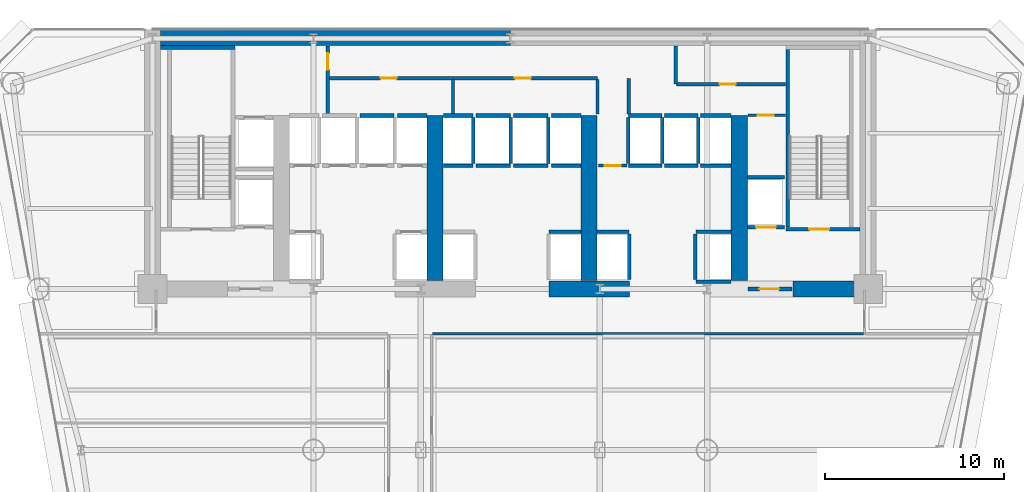
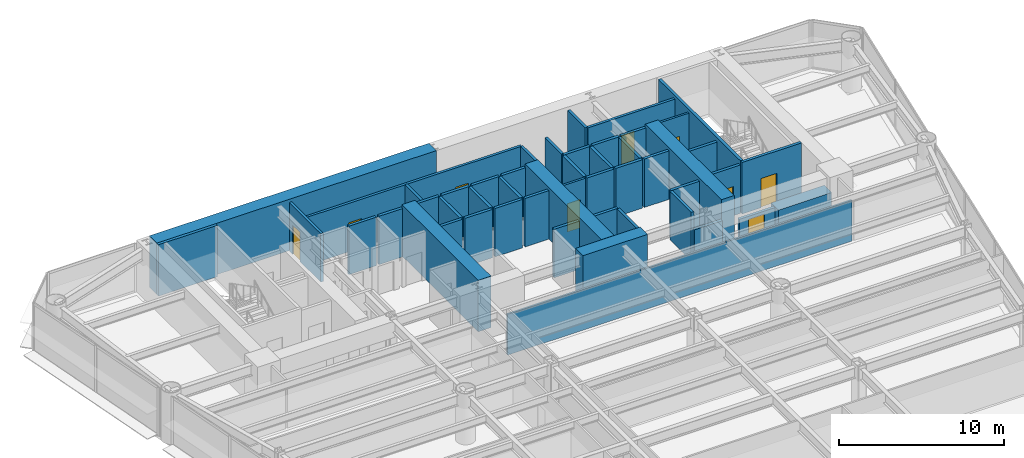
# One storey, part 9 of 14: 50 walls, 9 doors, 9 openings.
"""IFC4 building model written with IfcOpenShell, lengths in metres."""

from ifc_helpers import new_model, si_unit, direction, frame, frame_2d, origin, place, context, subcontext, project, spatial, rectangle, extrude, source, transform, mapped, material, layer, layer_set, type_object, element, fill, save


model = new_model("IFC4")

# Units and contexts
model_context = context("Model", 3, precision=1e-05, world=origin(), true_north=direction((0.0, 1.0)))
body_context = subcontext(model_context, "Body", "Model", "MODEL_VIEW")
ifc_project = project(units=[si_unit("LENGTHUNIT", "METRE"), si_unit("AREAUNIT", "SQUARE_METRE"), si_unit("VOLUMEUNIT", "CUBIC_METRE"), si_unit("PLANEANGLEUNIT", "RADIAN"), si_unit("MASSUNIT", "GRAM", prefix="KILO")], contexts=[model_context])

# Site, building, storey
site_placement = place(None, origin())
site = spatial("IfcSite", under=ifc_project, at=site_placement, CompositionType="ELEMENT")
building_placement = place(site_placement, origin())
building = spatial("IfcBuilding", under=site, at=building_placement, Name="Vaeldorn Concourse Tower", CompositionType="ELEMENT")
storey_placement = place(building_placement, frame((0.0, 0.0, 45.39990234375)))
storey = spatial("IfcBuildingStorey", under=building, at=storey_placement, Name="L11", CompositionType="ELEMENT", Elevation=45.39990234375)

# Walls
ifc_material_1 = material(Name="Concrete C60/75", Category="concrete")
ifc_layer_1 = layer(ifc_material_1, 0.89990234375)
ifc_layer_set_1 = layer_set([ifc_layer_1], Name="Concrete C60/75")
wall_type_1 = type_object("IfcWallType", Name="WL-CORE-900", PredefinedType="SHEAR", material=ifc_layer_set_1)
wall_1_placement = place(storey_placement, frame((14.4541015625, 50.550048828125, 0.0), z_axis=(0.0, 0.0, 1.0), x_axis=(1.0, 0.0, 0.0)))
element("IfcWall", 1, at=wall_1_placement, inside=storey, type_object=wall_type_1, Name="Rear Core Shear Wall L11 N1", PredefinedType="SHEAR", context=body_context, shape_type="SweptSolid", body=[
    extrude(rectangle(XDim=19.5439453125, YDim=0.89990234375, at=frame_2d((9.77197265625, 0.0))), origin(), (0.0, 0.0, 1.0), 3.800048828125),
])
wall_2_placement = place(storey_placement, frame((36.14990234375, 36.5, 0.0), z_axis=(0.0, 0.0, 1.0), x_axis=(1.0, 0.0, 0.0)))
element("IfcWall", 2, at=wall_2_placement, inside=storey, type_object=wall_type_1, Name="Rear Core Shear Wall L11 S3", PredefinedType="SHEAR", context=body_context, shape_type="SweptSolid", body=[
    extrude(rectangle(XDim=4.5, YDim=0.89990234375, at=frame_2d((2.25, 0.0))), origin(), (0.0, 0.0, 1.0), 3.800048828125),
])
wall_3_placement = place(storey_placement, frame((49.800048828125, 36.5, 0.0), z_axis=(0.0, 0.0, 1.0), x_axis=(1.0, 0.0, 0.0)))
element("IfcWall", 3, at=wall_3_placement, inside=storey, type_object=wall_type_1, Name="Rear Core Shear Wall L11 S4", PredefinedType="SHEAR", context=body_context, shape_type="SweptSolid", body=[
    extrude(rectangle(XDim=3.72998046875, YDim=0.89990234375, at=frame_2d((1.864990234375, 0.0))), origin(), (0.0, 0.0, 1.0), 2.380126953125),
])
for number, where, z_axis, x_axis, name in (
    (4, (29.800048828125, 36.969970703125, 0.0), (0.0, 0.0, 1.0), (0.0, 1.0, 0.0), "Rear Core Shear Wall L11 M2"),
    (5, (38.39990234375, 36.969970703125, 0.0), (0.0, 0.0, 1.0), (0.0, 1.0, 0.0), "Rear Core Shear Wall L11 M3"),
    (6, (46.800048828125, 36.969970703125, 0.0), (0.0, 0.0, 1.0), (0.0, 1.0, 0.0), "Rear Core Shear Wall L11 M4"),
):
    element("IfcWall", number, at=place(storey_placement, frame(where, z_axis=z_axis, x_axis=x_axis)), inside=storey, type_object=wall_type_1, Name=name, PredefinedType="SHEAR", context=body_context, shape_type="SweptSolid", body=[
        extrude(rectangle(XDim=9.22998046875, YDim=0.89990234375, at=frame_2d((4.614990234375, 0.0))), origin(), (0.0, 0.0, 1.0), 3.800048828125),
    ])
ifc_material_2 = material(Name="Gypsum Board Partition", Category="gypsum")
ifc_layer_2 = layer(ifc_material_2, 0.1201171875)
ifc_layer_set_2 = layer_set([ifc_layer_2], Name="Gypsum Board Partition")
wall_type_2 = type_object("IfcWallType", Name="WL-PART-120", PredefinedType="PARTITIONING", material=ifc_layer_set_2)
wall_4_placement = place(storey_placement, frame((29.659912109375, 34.0, 0.0), z_axis=(0.0, 0.0, 1.0), x_axis=(1.0, 0.0, 0.0)))
element("IfcWall", 7, at=wall_4_placement, inside=storey, type_object=wall_type_2, Name="Interior Wall PW-L11-C3SE", PredefinedType="PARTITIONING", context=body_context, shape_type="SweptSolid", body=[
    extrude(rectangle(XDim=24.080078125, YDim=0.1201171875, at=frame_2d((12.0400390625, 0.0))), origin(), (0.0, 0.0, 1.0), 3.02001953125),
])

# Wall, opening, door
ifc_layer_3 = layer(ifc_material_2, 0.14990234375)
ifc_layer_set_3 = layer_set([ifc_layer_3], Name="Gypsum Board Partition")
wall_type_3 = type_object("IfcWallType", Name="WL-PART-150", PredefinedType="PARTITIONING", material=ifc_layer_set_3)
wall_5_placement = place(storey_placement, frame((47.280029296875, 46.219970703125, 0.0), z_axis=(0.0, 0.0, 1.0), x_axis=(1.0, 0.0, 0.0)))
wall_5 = element("IfcWall", 8, at=wall_5_placement, inside=storey, type_object=wall_type_3, Name="Interior Wall CW-L11-CRSE-N", PredefinedType="PARTITIONING", context=body_context, shape_type="SweptSolid", body=[
    extrude(rectangle(XDim=2.099853515625, YDim=0.14990234375, at=frame_2d((1.0498046875, 0.0))), origin(), (0.0, 0.0, 1.0), 3.580078125),
])
opening_1_placement = place(wall_5_placement, frame((0.550048828125, 0.0, 0.0)))
opening_1 = element("IfcOpeningElement", 9, at=opening_1_placement, cuts=wall_5, Name="Opening D-02", PredefinedType="OPENING", context=body_context, shape_type="SweptSolid", body=[
    extrude(rectangle(XDim=0.89990234375, YDim=2.10009765625, at=frame_2d((0.449951171875, 1.050048828125))), frame((0.0, 0.0849609375, 0.0), z_axis=(0.0, -1.0, 0.0), x_axis=(1.0, 0.0, 0.0)), (0.0, 0.0, 1.0), 0.169921875),
])
ifc_material_3 = material(Name="Fire-Rated Timber Leaf", Category="wood")
door_type_1 = type_object("IfcDoorType", Name="DR-FD30-900", OperationType="NOTDEFINED", PredefinedType="DOOR", material=ifc_material_3)
shared_shape_1 = source(origin(), body_context, "Body", "SweptSolid", [
    extrude(rectangle(XDim=0.89990234375, YDim=2.10009765625, at=frame_2d((0.449951171875, 1.050048828125))), frame((0.0, 0.02490234375, 0.0), z_axis=(0.0, -1.0, 0.0), x_axis=(1.0, 0.0, 0.0)), (0.0, 0.0, 1.0), 0.050048828125),
])
door_1_placement = place(opening_1_placement, origin())
door_1 = element("IfcDoor", 10, at=door_1_placement, inside=storey, type_object=door_type_1, Name="Interior Door DR-L11-CRSE", OperationType="SINGLE_SWING_RIGHT", OverallHeight=2.10009765625, OverallWidth=0.89990234375, PredefinedType="DOOR", context=body_context, shape_type="MappedRepresentation", body=[
    mapped(shared_shape_1, transform((0.0, 0.0, 0.0), scale=1.0)),
])
fill(opening_1, door_1)

wall_6_placement = place(storey_placement, frame((38.919921875, 43.39990234375, 0.0), z_axis=(0.0, 0.0, 1.0), x_axis=(1.0, 0.0, 0.0)))
wall_6 = element("IfcWall", 11, at=wall_6_placement, inside=storey, type_object=wall_type_3, Name="Interior Wall CW-L11-CCLINK", PredefinedType="PARTITIONING", context=body_context, shape_type="SweptSolid", body=[
    extrude(rectangle(XDim=1.60009765625, YDim=0.14990234375, at=frame_2d((0.800048828125, 0.0))), origin(), (0.0, 0.0, 1.0), 3.580078125),
])
opening_2_placement = place(wall_6_placement, frame((0.35009765625, 0.0, 0.0)))
opening_2 = element("IfcOpeningElement", 12, at=opening_2_placement, cuts=wall_6, Name="Opening D-02", PredefinedType="OPENING", context=body_context, shape_type="SweptSolid", body=[
    extrude(rectangle(XDim=0.89990234375, YDim=2.10009765625, at=frame_2d((0.449951171875, 1.050048828125))), frame((0.0, 0.0849609375, 0.0), z_axis=(0.0, -1.0, 0.0), x_axis=(1.0, 0.0, 0.0)), (0.0, 0.0, 1.0), 0.169921875),
])
door_2_placement = place(opening_2_placement, origin())
door_2 = element("IfcDoor", 13, at=door_2_placement, inside=storey, type_object=door_type_1, Name="Interior Door DR-L11-CCLINK", OperationType="SINGLE_SWING_LEFT", OverallHeight=2.10009765625, OverallWidth=0.89990234375, PredefinedType="DOOR", context=body_context, shape_type="MappedRepresentation", body=[
    mapped(shared_shape_1, transform((0.0, 0.0, 0.0), scale=1.0)),
])
fill(opening_2, door_2)

# Wall, openings, doors
ifc_layer_4 = layer(ifc_material_2, 0.179931640625)
ifc_layer_set_4 = layer_set([ifc_layer_4], Name="Gypsum Board Partition")
wall_type_4 = type_object("IfcWallType", Name="WL-PLUMB-180", PredefinedType="PLUMBINGWALL", material=ifc_layer_set_4)
wall_7_placement = place(storey_placement, frame((23.85009765625, 48.280029296875, 0.0), z_axis=(0.0, 0.0, 1.0), x_axis=(1.0, 0.0, 0.0)))
wall_7 = element("IfcWall", 14, at=wall_7_placement, inside=storey, type_object=wall_type_4, Name="Interior Wall CW-L11-NS2W", PredefinedType="PLUMBINGWALL", context=body_context, shape_type="SweptSolid", body=[
    extrude(rectangle(XDim=15.02978515625, YDim=0.179931640625, at=frame_2d((7.514892578125, 0.0))), origin(), (0.0, 0.0, 1.0), 3.580078125),
])
opening_3_placement = place(wall_7_placement, frame((2.89990234375, 0.0, 0.0)))
opening_3 = element("IfcOpeningElement", 15, at=opening_3_placement, cuts=wall_7, Name="Opening D-03", PredefinedType="OPENING", context=body_context, shape_type="SweptSolid", body=[
    extrude(rectangle(XDim=0.89990234375, YDim=2.14990234375, at=frame_2d((0.449951171875, 1.074951171875))), frame((0.0, 0.10009765625, 0.0), z_axis=(0.0, -1.0, 0.0), x_axis=(1.0, 0.0, 0.0)), (0.0, 0.0, 1.0), 0.199951171875),
])
opening_4_placement = place(wall_7_placement, frame((10.39990234375, 0.0, 0.0)))
opening_4 = element("IfcOpeningElement", 16, at=opening_4_placement, cuts=wall_7, Name="Opening D-03", PredefinedType="OPENING", context=body_context, shape_type="SweptSolid", body=[
    extrude(rectangle(XDim=0.89990234375, YDim=2.14990234375, at=frame_2d((0.449951171875, 1.074951171875))), frame((0.0, 0.10009765625, 0.0), z_axis=(0.0, -1.0, 0.0), x_axis=(1.0, 0.0, 0.0)), (0.0, 0.0, 1.0), 0.199951171875),
])
ifc_material_4 = material(Name="Acoustic Bronze-Framed Glass Door", Category="glass")
door_type_2 = type_object("IfcDoorType", Name="DR-INT-900", OperationType="NOTDEFINED", PredefinedType="DOOR", material=ifc_material_4)
shared_shape_2 = source(origin(), body_context, "Body", "SweptSolid", [
    extrude(rectangle(XDim=0.89990234375, YDim=2.14990234375, at=frame_2d((0.449951171875, 1.074951171875))), frame((0.0, 0.02490234375, 0.0), z_axis=(0.0, -1.0, 0.0), x_axis=(1.0, 0.0, 0.0)), (0.0, 0.0, 1.0), 0.050048828125),
])
door_3_placement = place(opening_3_placement, origin())
door_3 = element("IfcDoor", 17, at=door_3_placement, inside=storey, type_object=door_type_2, Name="Interior Door DR-L11-CS2", OperationType="SINGLE_SWING_RIGHT", OverallHeight=2.14990234375, OverallWidth=0.89990234375, PredefinedType="DOOR", context=body_context, shape_type="MappedRepresentation", body=[
    mapped(shared_shape_2, transform((0.0, 0.0, 0.0), scale=1.0)),
])
fill(opening_3, door_3)
door_4_placement = place(opening_4_placement, origin())
door_4 = element("IfcDoor", 18, at=door_4_placement, inside=storey, type_object=door_type_2, Name="Interior Door DR-L11-CS3", OperationType="SINGLE_SWING_LEFT", OverallHeight=2.14990234375, OverallWidth=0.89990234375, PredefinedType="DOOR", context=body_context, shape_type="MappedRepresentation", body=[
    mapped(shared_shape_2, transform((0.0, 0.0, 0.0), scale=1.0)),
])
fill(opening_4, door_4)

# Wall, opening, door
wall_8_placement = place(storey_placement, frame((23.800048828125, 46.280029296875, 0.0), z_axis=(0.0, 0.0, 1.0), x_axis=(0.0, 1.0, 0.0)))
wall_8 = element("IfcWall", 19, at=wall_8_placement, inside=storey, type_object=wall_type_4, Name="Interior Wall CW-L11-SDIV1", PredefinedType="PLUMBINGWALL", context=body_context, shape_type="SweptSolid", body=[
    extrude(rectangle(XDim=3.800048828125, YDim=0.179931640625, at=frame_2d((1.89990234375, 0.0))), origin(), (0.0, 0.0, 1.0), 3.580078125),
])
opening_5_placement = place(wall_8_placement, frame((2.485107421875, 0.0, 0.0)))
opening_5 = element("IfcOpeningElement", 20, at=opening_5_placement, cuts=wall_8, Name="Opening D-03", PredefinedType="OPENING", context=body_context, shape_type="SweptSolid", body=[
    extrude(rectangle(XDim=0.89990234375, YDim=2.14990234375, at=frame_2d((0.449951171875, 1.074951171875))), frame((0.0, 0.10009765625, 0.0), z_axis=(0.0, -1.0, 0.0), x_axis=(1.0, 0.0, 0.0)), (0.0, 0.0, 1.0), 0.199951171875),
])
door_5_placement = place(opening_5_placement, origin())
door_5 = element("IfcDoor", 21, at=door_5_placement, inside=storey, type_object=door_type_2, Name="Interior Door DR-L11-CS1", OperationType="SINGLE_SWING_LEFT", OverallHeight=2.14990234375, OverallWidth=0.89990234375, PredefinedType="DOOR", context=body_context, shape_type="MappedRepresentation", body=[
    mapped(shared_shape_2, transform((0.0, 0.0, 0.0), scale=1.0)),
])
fill(opening_5, door_5)

# Walls
for number, where, z_axis, x_axis, name in (
    (22, (30.800048828125, 46.280029296875, 0.0), (0.0, 0.0, 1.0), (0.0, 1.0, 0.0), "Interior Wall CW-L11-SDIV2"),
    (23, (38.8798828125, 46.280029296875, 0.0), (0.0, 0.0, 1.0), (0.0, 1.0, 0.0), "Interior Wall CW-L11-SDIV4"),
):
    element("IfcWall", number, at=place(storey_placement, frame(where, z_axis=z_axis, x_axis=x_axis)), inside=storey, type_object=wall_type_4, Name=name, PredefinedType="PLUMBINGWALL", context=body_context, shape_type="SweptSolid", body=[
        extrude(rectangle(XDim=1.93994140625, YDim=0.179931640625, at=frame_2d((0.969970703125, 0.0))), origin(), (0.0, 0.0, 1.0), 3.580078125),
    ])
wall_9_placement = place(storey_placement, frame((40.6201171875, 46.280029296875, 0.0), z_axis=(0.0, 0.0, 1.0), x_axis=(0.0, 1.0, 0.0)))
element("IfcWall", 24, at=wall_9_placement, inside=storey, type_object=wall_type_4, Name="Interior Wall CW-L11-SDIV5", PredefinedType="PLUMBINGWALL", context=body_context, shape_type="SweptSolid", body=[
    extrude(rectangle(XDim=2.0, YDim=0.179931640625, at=frame_2d((1.0, 0.0))), origin(), (0.0, 0.0, 1.0), 3.580078125),
])
wall_10_placement = place(storey_placement, frame((43.25, 47.949951171875, 0.0), z_axis=(0.0, 0.0, 1.0), x_axis=(0.0, 1.0, 0.0)))
element("IfcWall", 25, at=wall_10_placement, inside=storey, type_object=wall_type_4, Name="Interior Wall CW-L11-SDIV6", PredefinedType="PLUMBINGWALL", context=body_context, shape_type="SweptSolid", body=[
    extrude(rectangle(XDim=2.130126953125, YDim=0.179931640625, at=frame_2d((1.06494140625, 0.0))), origin(), (0.0, 0.0, 1.0), 3.580078125),
])

# Wall, opening, door
wall_11_placement = place(storey_placement, frame((43.300048828125, 47.949951171875, 0.0), z_axis=(0.0, 0.0, 1.0), x_axis=(1.0, 0.0, 0.0)))
wall_11 = element("IfcWall", 26, at=wall_11_placement, inside=storey, type_object=wall_type_4, Name="Interior Wall CW-L11-NS2EE", PredefinedType="PLUMBINGWALL", context=body_context, shape_type="SweptSolid", body=[
    extrude(rectangle(XDim=6.079833984375, YDim=0.179931640625, at=frame_2d((3.0400390625, 0.0))), origin(), (0.0, 0.0, 1.0), 3.580078125),
])
opening_6_placement = place(wall_11_placement, frame((2.39990234375, 0.0, 0.0)))
opening_6 = element("IfcOpeningElement", 27, at=opening_6_placement, cuts=wall_11, Name="Opening D-03", PredefinedType="OPENING", context=body_context, shape_type="SweptSolid", body=[
    extrude(rectangle(XDim=0.89990234375, YDim=2.14990234375, at=frame_2d((0.449951171875, 1.074951171875))), frame((0.0, 0.10009765625, 0.0), z_axis=(0.0, -1.0, 0.0), x_axis=(1.0, 0.0, 0.0)), (0.0, 0.0, 1.0), 0.199951171875),
])
door_6_placement = place(opening_6_placement, origin())
door_6 = element("IfcDoor", 28, at=door_6_placement, inside=storey, type_object=door_type_2, Name="Interior Door DR-L11-CS5", OperationType="SINGLE_SWING_RIGHT", OverallHeight=2.14990234375, OverallWidth=0.89990234375, PredefinedType="DOOR", context=body_context, shape_type="MappedRepresentation", body=[
    mapped(shared_shape_2, transform((0.0, 0.0, 0.0), scale=1.0)),
])
fill(opening_6, door_6)

# Wall
ifc_material_5 = material(Name="Concrete C50/60", Category="concrete")
ifc_layer_5 = layer(ifc_material_5, 0.199951171875)
ifc_layer_set_5 = layer_set([ifc_layer_5], Name="Concrete C50/60")
wall_type_5 = type_object("IfcWallType", Name="WL-SHAFT-200", PredefinedType="SOLIDWALL", material=ifc_layer_set_5)
wall_12_placement = place(storey_placement, frame((14.449951171875, 50.0, 0.0), z_axis=(0.0, 0.0, 1.0), x_axis=(1.0, 0.0, 0.0)))
element("IfcWall", 29, at=wall_12_placement, inside=storey, type_object=wall_type_5, Name="Stair Shaft Wall CW-L11-ST-1-N", PredefinedType="SOLIDWALL", context=body_context, shape_type="SweptSolid", body=[
    extrude(rectangle(XDim=4.150146484375, YDim=0.199951171875, at=frame_2d((2.0751953125, 0.0))), origin(), (0.0, 0.0, 1.0), 3.800048828125),
])

# Wall, opening, door
wall_13_placement = place(storey_placement, frame((49.39990234375, 39.85009765625, 0.0), z_axis=(0.0, 0.0, 1.0), x_axis=(1.0, 0.0, 0.0)))
wall_13 = element("IfcWall", 30, at=wall_13_placement, inside=storey, type_object=wall_type_5, Name="Stair Shaft Wall CW-L11-ST-2-S", PredefinedType="SOLIDWALL", context=body_context, shape_type="SweptSolid", body=[
    extrude(rectangle(XDim=4.150146484375, YDim=0.199951171875, at=frame_2d((2.0751953125, 0.0))), origin(), (0.0, 0.0, 1.0), 3.800048828125),
])
opening_7_placement = place(wall_13_placement, frame((1.324951171875, 0.0, 0.0)))
opening_7 = element("IfcOpeningElement", 31, at=opening_7_placement, cuts=wall_13, Name="Opening D-01", PredefinedType="OPENING", context=body_context, shape_type="SweptSolid", body=[
    extrude(rectangle(XDim=1.10009765625, YDim=2.14990234375, at=frame_2d((0.550048828125, 1.074951171875))), frame((0.0, 0.10986328125, 0.0), z_axis=(0.0, -1.0, 0.0), x_axis=(1.0, 0.0, 0.0)), (0.0, 0.0, 1.0), 0.219970703125),
])
ifc_material_6 = material(Name="Fire-Rated Timber and Steel Leaf", Category="steel")
door_type_3 = type_object("IfcDoorType", Name="DR-FD60-1100", OperationType="NOTDEFINED", PredefinedType="DOOR", material=ifc_material_6)
shared_shape_3 = source(origin(), body_context, "Body", "SweptSolid", [
    extrude(rectangle(XDim=1.10009765625, YDim=2.14990234375, at=frame_2d((0.550048828125, 1.074951171875))), frame((0.0, 0.02490234375, 0.0), z_axis=(0.0, -1.0, 0.0), x_axis=(1.0, 0.0, 0.0)), (0.0, 0.0, 1.0), 0.050048828125),
])
door_7_placement = place(opening_7_placement, origin())
door_7 = element("IfcDoor", 32, at=door_7_placement, inside=storey, type_object=door_type_3, Name="Interior Door DR-L11-ST-2", OperationType="SINGLE_SWING_RIGHT", OverallHeight=2.14990234375, OverallWidth=1.10009765625, PredefinedType="DOOR", context=body_context, shape_type="MappedRepresentation", body=[
    mapped(shared_shape_3, transform((0.0, 0.0, 0.0), scale=1.0)),
])
fill(opening_7, door_7)

# Wall
wall_14_placement = place(storey_placement, frame((49.5, 39.9599609375, 0.0), z_axis=(0.0, 0.0, 1.0), x_axis=(0.0, 1.0, 0.0)))
element("IfcWall", 33, at=wall_14_placement, inside=storey, type_object=wall_type_5, Name="Stair Shaft Wall CW-L11-ST-2-W", PredefinedType="SOLIDWALL", context=body_context, shape_type="SweptSolid", body=[
    extrude(rectangle(XDim=9.929931640625, YDim=0.199951171875, at=frame_2d((4.96484375, 0.0))), origin(), (0.0, 0.0, 1.0), 3.800048828125),
])

# Wall, opening, door
wall_15_placement = place(storey_placement, frame((47.280029296875, 36.5, 0.0), z_axis=(0.0, 0.0, 1.0), x_axis=(1.0, 0.0, 0.0)))
wall_15 = element("IfcWall", 34, at=wall_15_placement, inside=storey, type_object=wall_type_5, Name="Interior Wall CW-L11-FF2S", PredefinedType="SOLIDWALL", context=body_context, shape_type="SweptSolid", body=[
    extrude(rectangle(XDim=2.469970703125, YDim=0.199951171875, at=frame_2d((1.23486328125, 0.0))), origin(), (0.0, 0.0, 1.0), 2.3701171875),
])
opening_8_placement = place(wall_15_placement, frame((0.64990234375, 0.0, 0.0)))
opening_8 = element("IfcOpeningElement", 35, at=opening_8_placement, cuts=wall_15, Name="Opening D-01", PredefinedType="OPENING", context=body_context, shape_type="SweptSolid", body=[
    extrude(rectangle(XDim=1.10009765625, YDim=2.14990234375, at=frame_2d((0.550048828125, 1.074951171875))), frame((0.0, 0.10986328125, 0.0), z_axis=(0.0, -1.0, 0.0), x_axis=(1.0, 0.0, 0.0)), (0.0, 0.0, 1.0), 0.219970703125),
])
door_8_placement = place(opening_8_placement, origin())
door_8 = element("IfcDoor", 36, at=door_8_placement, inside=storey, type_object=door_type_3, Name="Interior Door DR-L11-FF2W", OperationType="SINGLE_SWING_LEFT", OverallHeight=2.14990234375, OverallWidth=1.10009765625, PredefinedType="DOOR", context=body_context, shape_type="MappedRepresentation", body=[
    mapped(shared_shape_3, transform((0.0, 0.0, 0.0), scale=1.0)),
])
fill(opening_8, door_8)

# Walls
wall_16_placement = place(storey_placement, frame((25.590087890625, 46.199951171875, 0.0), z_axis=(0.0, 0.0, 1.0), x_axis=(1.0, 0.0, 0.0)))
element("IfcWall", 37, at=wall_16_placement, inside=storey, type_object=wall_type_5, Name="Interior Wall CW-L11-LFB-LF-05", PredefinedType="SOLIDWALL", context=body_context, shape_type="SweptSolid", body=[
    extrude(rectangle(XDim=1.919921875, YDim=0.199951171875, at=frame_2d((0.9599609375, 0.0))), origin(), (0.0, 0.0, 1.0), 3.580078125),
])
wall_17_placement = place(storey_placement, frame((27.68994140625, 46.199951171875, 0.0), z_axis=(0.0, 0.0, 1.0), x_axis=(1.0, 0.0, 0.0)))
element("IfcWall", 38, at=wall_17_placement, inside=storey, type_object=wall_type_5, Name="Interior Wall CW-L11-LFB-LF-06", PredefinedType="SOLIDWALL", context=body_context, shape_type="SweptSolid", body=[
    extrude(rectangle(XDim=1.650146484375, YDim=0.199951171875, at=frame_2d((0.8251953125, 0.0))), origin(), (0.0, 0.0, 1.0), 3.580078125),
])
wall_18_placement = place(storey_placement, frame((36.169921875, 39.699951171875, 0.0), z_axis=(0.0, 0.0, 1.0), x_axis=(1.0, 0.0, 0.0)))
element("IfcWall", 39, at=wall_18_placement, inside=storey, type_object=wall_type_5, Name="Interior Wall CW-L11-LF-LF-08", PredefinedType="SOLIDWALL", context=body_context, shape_type="SweptSolid", body=[
    extrude(rectangle(XDim=1.77001953125, YDim=0.199951171875, at=frame_2d((0.885009765625, 0.0))), origin(), (0.0, 0.0, 1.0), 3.580078125),
])
for number, where, z_axis, x_axis, name in (
    (40, (30.260009765625, 43.39990234375, 0.0), (0.0, 0.0, 1.0), (1.0, 0.0, 0.0), "Interior Wall CW-L11-LF-LF-09"),
    (41, (30.260009765625, 46.199951171875, 0.0), (0.0, 0.0, 1.0), (1.0, 0.0, 0.0), "Interior Wall CW-L11-LFB-LF-09"),
):
    element("IfcWall", number, at=place(storey_placement, frame(where, z_axis=z_axis, x_axis=x_axis)), inside=storey, type_object=wall_type_5, Name=name, PredefinedType="SOLIDWALL", context=body_context, shape_type="SweptSolid", body=[
        extrude(rectangle(XDim=1.64990234375, YDim=0.199951171875, at=frame_2d((0.824951171875, 0.0))), origin(), (0.0, 0.0, 1.0), 3.580078125),
    ])
wall_19_placement = place(storey_placement, frame((31.929931640625, 43.52001953125, 0.0), z_axis=(0.0, 0.0, 1.0), x_axis=(0.0, 1.0, 0.0)))
element("IfcWall", 42, at=wall_19_placement, inside=storey, type_object=wall_type_5, Name="Interior Wall CW-L11-LFE-LF-09", PredefinedType="SOLIDWALL", context=body_context, shape_type="SweptSolid", body=[
    extrude(rectangle(XDim=2.56005859375, YDim=0.199951171875, at=frame_2d((1.280029296875, 0.0))), origin(), (0.0, 0.0, 1.0), 3.580078125),
])
for number, where, z_axis, x_axis, name in (
    (43, (32.090087890625, 43.39990234375, 0.0), (0.0, 0.0, 1.0), (1.0, 0.0, 0.0), "Interior Wall CW-L11-LF-LF-10"),
    (44, (32.090087890625, 46.199951171875, 0.0), (0.0, 0.0, 1.0), (1.0, 0.0, 0.0), "Interior Wall CW-L11-LFB-LF-10"),
):
    element("IfcWall", number, at=place(storey_placement, frame(where, z_axis=z_axis, x_axis=x_axis)), inside=storey, type_object=wall_type_5, Name=name, PredefinedType="SOLIDWALL", context=body_context, shape_type="SweptSolid", body=[
        extrude(rectangle(XDim=1.919921875, YDim=0.199951171875, at=frame_2d((0.9599609375, 0.0))), origin(), (0.0, 0.0, 1.0), 3.580078125),
    ])
wall_20_placement = place(storey_placement, frame((34.030029296875, 43.52001953125, 0.0), z_axis=(0.0, 0.0, 1.0), x_axis=(0.0, 1.0, 0.0)))
element("IfcWall", 45, at=wall_20_placement, inside=storey, type_object=wall_type_5, Name="Interior Wall CW-L11-LFE-LF-10", PredefinedType="SOLIDWALL", context=body_context, shape_type="SweptSolid", body=[
    extrude(rectangle(XDim=2.56005859375, YDim=0.199951171875, at=frame_2d((1.280029296875, 0.0))), origin(), (0.0, 0.0, 1.0), 3.580078125),
])
for number, where, z_axis, x_axis, name in (
    (46, (34.18994140625, 43.39990234375, 0.0), (0.0, 0.0, 1.0), (1.0, 0.0, 0.0), "Interior Wall CW-L11-LF-LF-11"),
    (47, (34.18994140625, 46.199951171875, 0.0), (0.0, 0.0, 1.0), (1.0, 0.0, 0.0), "Interior Wall CW-L11-LFB-LF-11"),
):
    element("IfcWall", number, at=place(storey_placement, frame(where, z_axis=z_axis, x_axis=x_axis)), inside=storey, type_object=wall_type_5, Name=name, PredefinedType="SOLIDWALL", context=body_context, shape_type="SweptSolid", body=[
        extrude(rectangle(XDim=1.920166015625, YDim=0.199951171875, at=frame_2d((0.9599609375, 0.0))), origin(), (0.0, 0.0, 1.0), 3.580078125),
    ])
wall_21_placement = place(storey_placement, frame((36.1298828125, 43.52001953125, 0.0), z_axis=(0.0, 0.0, 1.0), x_axis=(0.0, 1.0, 0.0)))
element("IfcWall", 48, at=wall_21_placement, inside=storey, type_object=wall_type_5, Name="Interior Wall CW-L11-LFE-LF-11", PredefinedType="SOLIDWALL", context=body_context, shape_type="SweptSolid", body=[
    extrude(rectangle(XDim=2.56005859375, YDim=0.199951171875, at=frame_2d((1.280029296875, 0.0))), origin(), (0.0, 0.0, 1.0), 3.580078125),
])
for number, where, z_axis, x_axis, name in (
    (49, (36.2900390625, 43.39990234375, 0.0), (0.0, 0.0, 1.0), (1.0, 0.0, 0.0), "Interior Wall CW-L11-LF-LF-12"),
    (50, (36.2900390625, 46.199951171875, 0.0), (0.0, 0.0, 1.0), (1.0, 0.0, 0.0), "Interior Wall CW-L11-LFB-LF-12"),
):
    element("IfcWall", number, at=place(storey_placement, frame(where, z_axis=z_axis, x_axis=x_axis)), inside=storey, type_object=wall_type_5, Name=name, PredefinedType="SOLIDWALL", context=body_context, shape_type="SweptSolid", body=[
        extrude(rectangle(XDim=1.64990234375, YDim=0.199951171875, at=frame_2d((0.824951171875, 0.0))), origin(), (0.0, 0.0, 1.0), 3.580078125),
    ])
wall_22_placement = place(storey_placement, frame((38.860107421875, 39.699951171875, 0.0), z_axis=(0.0, 0.0, 1.0), x_axis=(1.0, 0.0, 0.0)))
element("IfcWall", 51, at=wall_22_placement, inside=storey, type_object=wall_type_5, Name="Interior Wall CW-L11-LF-LF-13", PredefinedType="SOLIDWALL", context=body_context, shape_type="SweptSolid", body=[
    extrude(rectangle(XDim=1.769775390625, YDim=0.199951171875, at=frame_2d((0.884765625, 0.0))), origin(), (0.0, 0.0, 1.0), 3.580078125),
])
wall_23_placement = place(storey_placement, frame((40.64990234375, 37.02001953125, 0.0), z_axis=(0.0, 0.0, 1.0), x_axis=(0.0, 1.0, 0.0)))
element("IfcWall", 52, at=wall_23_placement, inside=storey, type_object=wall_type_5, Name="Interior Wall CW-L11-LFE-LF-13", PredefinedType="SOLIDWALL", context=body_context, shape_type="SweptSolid", body=[
    extrude(rectangle(XDim=2.56005859375, YDim=0.199951171875, at=frame_2d((1.280029296875, 0.0))), origin(), (0.0, 0.0, 1.0), 3.580078125),
])
wall_24_placement = place(storey_placement, frame((44.3701171875, 39.699951171875, 0.0), z_axis=(0.0, 0.0, 1.0), x_axis=(1.0, 0.0, 0.0)))
element("IfcWall", 53, at=wall_24_placement, inside=storey, type_object=wall_type_5, Name="Interior Wall CW-L11-LF-LF-14", PredefinedType="SOLIDWALL", context=body_context, shape_type="SweptSolid", body=[
    extrude(rectangle(XDim=1.9599609375, YDim=0.199951171875, at=frame_2d((0.97998046875, 0.0))), origin(), (0.0, 0.0, 1.0), 3.580078125),
])
wall_25_placement = place(storey_placement, frame((44.3701171875, 36.89990234375, 0.0), z_axis=(0.0, 0.0, 1.0), x_axis=(1.0, 0.0, 0.0)))
element("IfcWall", 54, at=wall_25_placement, inside=storey, type_object=wall_type_5, Name="Interior Wall CW-L11-LFB-LF-14", PredefinedType="SOLIDWALL", context=body_context, shape_type="SweptSolid", body=[
    extrude(rectangle(XDim=1.9599609375, YDim=0.199951171875, at=frame_2d((0.97998046875, 0.0))), origin(), (0.0, 0.0, 1.0), 2.3701171875),
])
wall_26_placement = place(storey_placement, frame((44.35009765625, 37.02001953125, 0.0), z_axis=(0.0, 0.0, 1.0), x_axis=(0.0, 1.0, 0.0)))
element("IfcWall", 55, at=wall_26_placement, inside=storey, type_object=wall_type_5, Name="Interior Wall CW-L11-LFW-LF-14", PredefinedType="SOLIDWALL", context=body_context, shape_type="SweptSolid", body=[
    extrude(rectangle(XDim=2.56005859375, YDim=0.199951171875, at=frame_2d((1.280029296875, 0.0))), origin(), (0.0, 0.0, 1.0), 3.580078125),
])
for number, where, z_axis, x_axis, name in (
    (56, (40.6201171875, 43.39990234375, 0.0), (0.0, 0.0, 1.0), (1.0, 0.0, 0.0), "Interior Wall CW-L11-LF-LF-15"),
    (57, (40.6201171875, 46.199951171875, 0.0), (0.0, 0.0, 1.0), (1.0, 0.0, 0.0), "Interior Wall CW-L11-LFB-LF-15"),
):
    element("IfcWall", number, at=place(storey_placement, frame(where, z_axis=z_axis, x_axis=x_axis)), inside=storey, type_object=wall_type_5, Name=name, PredefinedType="SOLIDWALL", context=body_context, shape_type="SweptSolid", body=[
        extrude(rectangle(XDim=1.85986328125, YDim=0.199951171875, at=frame_2d((0.929931640625, 0.0))), origin(), (0.0, 0.0, 1.0), 3.580078125),
    ])
for number, where, z_axis, x_axis, name in (
    (58, (40.60009765625, 43.52001953125, 0.0), (0.0, 0.0, 1.0), (0.0, 1.0, 0.0), "Interior Wall CW-L11-LFW-LF-15"),
    (59, (42.5, 43.52001953125, 0.0), (0.0, 0.0, 1.0), (0.0, 1.0, 0.0), "Interior Wall CW-L11-LFE-LF-15"),
):
    element("IfcWall", number, at=place(storey_placement, frame(where, z_axis=z_axis, x_axis=x_axis)), inside=storey, type_object=wall_type_5, Name=name, PredefinedType="SOLIDWALL", context=body_context, shape_type="SweptSolid", body=[
        extrude(rectangle(XDim=2.56005859375, YDim=0.199951171875, at=frame_2d((1.280029296875, 0.0))), origin(), (0.0, 0.0, 1.0), 3.580078125),
    ])
for number, where, z_axis, x_axis, name in (
    (60, (42.6201171875, 43.39990234375, 0.0), (0.0, 0.0, 1.0), (1.0, 0.0, 0.0), "Interior Wall CW-L11-LF-LF-16"),
    (61, (42.6201171875, 46.199951171875, 0.0), (0.0, 0.0, 1.0), (1.0, 0.0, 0.0), "Interior Wall CW-L11-LFB-LF-16"),
):
    element("IfcWall", number, at=place(storey_placement, frame(where, z_axis=z_axis, x_axis=x_axis)), inside=storey, type_object=wall_type_5, Name=name, PredefinedType="SOLIDWALL", context=body_context, shape_type="SweptSolid", body=[
        extrude(rectangle(XDim=1.85986328125, YDim=0.199951171875, at=frame_2d((0.929931640625, 0.0))), origin(), (0.0, 0.0, 1.0), 3.580078125),
    ])
wall_27_placement = place(storey_placement, frame((44.5, 43.52001953125, 0.0), z_axis=(0.0, 0.0, 1.0), x_axis=(0.0, 1.0, 0.0)))
element("IfcWall", 62, at=wall_27_placement, inside=storey, type_object=wall_type_5, Name="Interior Wall CW-L11-LFE-LF-16", PredefinedType="SOLIDWALL", context=body_context, shape_type="SweptSolid", body=[
    extrude(rectangle(XDim=2.56005859375, YDim=0.199951171875, at=frame_2d((1.280029296875, 0.0))), origin(), (0.0, 0.0, 1.0), 3.580078125),
])
for number, where, z_axis, x_axis, name in (
    (63, (44.6201171875, 43.39990234375, 0.0), (0.0, 0.0, 1.0), (1.0, 0.0, 0.0), "Interior Wall CW-L11-LF-LF-17"),
    (64, (44.6201171875, 46.199951171875, 0.0), (0.0, 0.0, 1.0), (1.0, 0.0, 0.0), "Interior Wall CW-L11-LFB-LF-17"),
):
    element("IfcWall", number, at=place(storey_placement, frame(where, z_axis=z_axis, x_axis=x_axis)), inside=storey, type_object=wall_type_5, Name=name, PredefinedType="SOLIDWALL", context=body_context, shape_type="SweptSolid", body=[
        extrude(rectangle(XDim=1.719970703125, YDim=0.199951171875, at=frame_2d((0.85986328125, 0.0))), origin(), (0.0, 0.0, 1.0), 3.580078125),
    ])

# Wall, opening, door
wall_28_placement = place(storey_placement, frame((47.260009765625, 39.949951171875, 0.0), z_axis=(0.0, 0.0, 1.0), x_axis=(1.0, 0.0, 0.0)))
wall_28 = element("IfcWall", 65, at=wall_28_placement, inside=storey, type_object=wall_type_5, Name="Interior Wall CW-L11-LF-LF-FF2", PredefinedType="SOLIDWALL", context=body_context, shape_type="SweptSolid", body=[
    extrude(rectangle(XDim=2.070068359375, YDim=0.199951171875, at=frame_2d((1.03515625, 0.0))), origin(), (0.0, 0.0, 1.0), 3.580078125),
])
opening_9_placement = place(wall_28_placement, frame((0.485107421875, 0.0, 0.0)))
opening_9 = element("IfcOpeningElement", 66, at=opening_9_placement, cuts=wall_28, Name="Opening LD-1", PredefinedType="OPENING", context=body_context, shape_type="SweptSolid", body=[
    extrude(rectangle(XDim=1.10009765625, YDim=2.14990234375, at=frame_2d((0.550048828125, 1.074951171875))), frame((0.0, 0.10986328125, 0.0), z_axis=(0.0, -1.0, 0.0), x_axis=(1.0, 0.0, 0.0)), (0.0, 0.0, 1.0), 0.219970703125),
])
ifc_material_7 = material(Name="Anodised Bronze Aluminium", Category="aluminium")
door_type_4 = type_object("IfcDoorType", Name="DR-LIFT-SLIDE-1100", OperationType="DOUBLE_DOOR_SLIDING", PredefinedType="DOOR", material=ifc_material_7)
door_9_placement = place(opening_9_placement, origin())
door_9 = element("IfcDoor", 67, at=door_9_placement, inside=storey, type_object=door_type_4, Name="Lift Landing Door LD-L11-LF-FF2", OperationType="DOUBLE_DOOR_SLIDING", OverallHeight=2.14990234375, OverallWidth=1.10009765625, PredefinedType="DOOR", context=body_context, shape_type="MappedRepresentation", body=[
    mapped(shared_shape_3, transform((0.0, 0.0, 0.0), scale=1.0)),
])
fill(opening_9, door_9)

# Wall
wall_29_placement = place(storey_placement, frame((47.260009765625, 42.75, 0.0), z_axis=(0.0, 0.0, 1.0), x_axis=(1.0, 0.0, 0.0)))
element("IfcWall", 68, at=wall_29_placement, inside=storey, type_object=wall_type_5, Name="Interior Wall CW-L11-LFB-LF-FF2", PredefinedType="SOLIDWALL", context=body_context, shape_type="SweptSolid", body=[
    extrude(rectangle(XDim=2.070068359375, YDim=0.199951171875, at=frame_2d((1.03515625, 0.0))), origin(), (0.0, 0.0, 1.0), 3.580078125),
])

save(model, "model.ifc")
